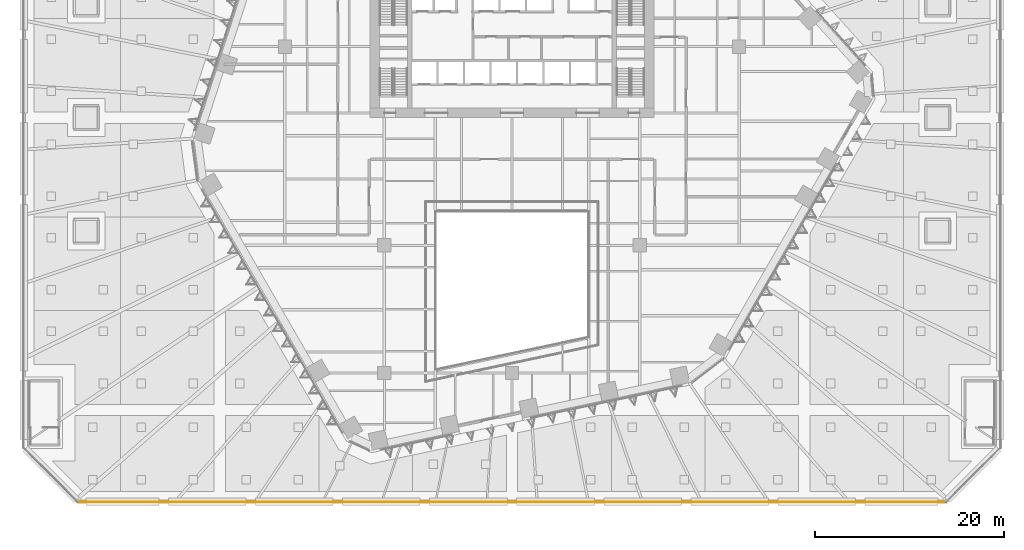
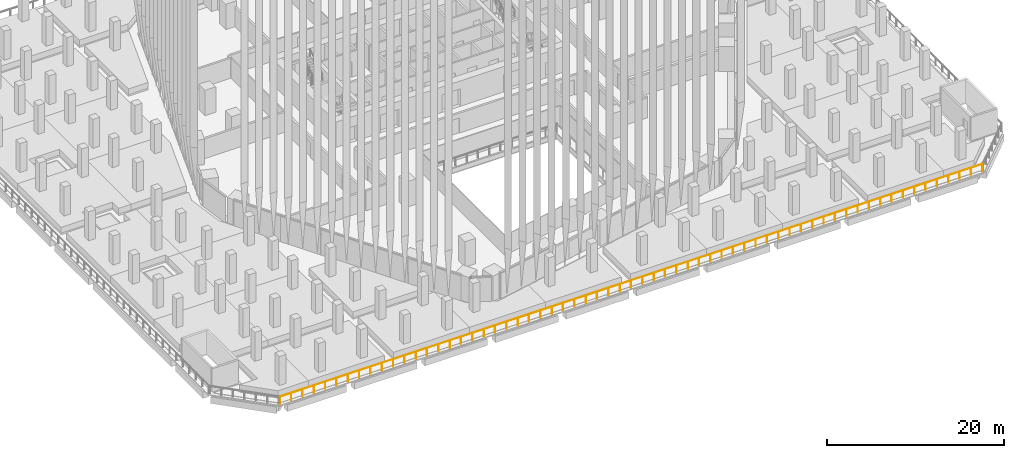
# One storey, part 31 of 51: 1 railing.
"""IFC4 building model written with IfcOpenShell, lengths in metres."""

from ifc_helpers import new_model, si_unit, direction, frame, origin, origin_2d, place, context, subcontext, project, spatial, circle, extrude, material, type_object, element, save


model = new_model("IFC4")

# Units and contexts
model_context = context("Model", 3, precision=1e-05, world=origin(), true_north=direction((0.0, 1.0)))
body_context = subcontext(model_context, "Body", "Model", "MODEL_VIEW")
ifc_project = project(units=[si_unit("LENGTHUNIT", "METRE"), si_unit("AREAUNIT", "SQUARE_METRE"), si_unit("VOLUMEUNIT", "CUBIC_METRE"), si_unit("PLANEANGLEUNIT", "RADIAN"), si_unit("MASSUNIT", "GRAM", prefix="KILO")], contexts=[model_context])

# Site, building, storey
site_placement = place(None, origin())
site = spatial("IfcSite", under=ifc_project, at=site_placement, CompositionType="ELEMENT")
building_placement = place(site_placement, origin())
building = spatial("IfcBuilding", under=site, at=building_placement, Name="Isthmus Gate Tower", CompositionType="ELEMENT")
storey_placement = place(building_placement, frame((0.0, 0.0, 36.0)))
storey = spatial("IfcBuildingStorey", under=building, at=storey_placement, Name="L06", CompositionType="ELEMENT", Elevation=36.0)

# Railing
ifc_material = material(Name="Stainless steel posts and toughened laminated glass", Category="steel")
railing_type = type_object("IfcRailingType", Name="GUARD 1100 TERRACE GLASS", PredefinedType="GUARDRAIL", material=ifc_material)
railing_placement = place(storey_placement, frame((45.794921875, -40.64990234375, 0.0)))
element("IfcRailing", 1, at=railing_placement, inside=storey, type_object=railing_type, Name="TERRACE GUARD", PredefinedType="GUARDRAIL", context=body_context, shape_type="SweptSolid", body=[
    extrude(circle(Radius=0.02490234375, at=origin_2d()), frame((0.0, 0.0, 1.0751953125), z_axis=(-1.0, 0.0, 0.0), x_axis=(0.0, -1.0, 0.0)), (0.0, 0.0, 1.0), 91.58984375),
    extrude(circle(Radius=0.02490234375, at=origin_2d()), origin(), (0.0, 0.0, 1.0), 1.050048828125),
    extrude(circle(Radius=0.02490234375, at=origin_2d()), frame((-1.477294921875, 0.0, 0.0)), (0.0, 0.0, 1.0), 1.050048828125),
    extrude(circle(Radius=0.02490234375, at=origin_2d()), frame((-2.95458984375, 0.0, 0.0)), (0.0, 0.0, 1.0), 1.050048828125),
    extrude(circle(Radius=0.02490234375, at=origin_2d()), frame((-4.431884765625, 0.0, 0.0)), (0.0, 0.0, 1.0), 1.050048828125),
    extrude(circle(Radius=0.02490234375, at=origin_2d()), frame((-5.908935546875, 0.0, 0.0)), (0.0, 0.0, 1.0), 1.050048828125),
    extrude(circle(Radius=0.02490234375, at=origin_2d()), frame((-7.38623046875, 0.0, 0.0)), (0.0, 0.0, 1.0), 1.050048828125),
    extrude(circle(Radius=0.02490234375, at=origin_2d()), frame((-8.863525390625, 0.0, 0.0)), (0.0, 0.0, 1.0), 1.050048828125),
    extrude(circle(Radius=0.02490234375, at=origin_2d()), frame((-10.3408203125, 0.0, 0.0)), (0.0, 0.0, 1.0), 1.050048828125),
    extrude(circle(Radius=0.02490234375, at=origin_2d()), frame((-11.818115234375, 0.0, 0.0)), (0.0, 0.0, 1.0), 1.050048828125),
    extrude(circle(Radius=0.02490234375, at=origin_2d()), frame((-13.29541015625, 0.0, 0.0)), (0.0, 0.0, 1.0), 1.050048828125),
    extrude(circle(Radius=0.02490234375, at=origin_2d()), frame((-14.7724609375, 0.0, 0.0)), (0.0, 0.0, 1.0), 1.050048828125),
    extrude(circle(Radius=0.02490234375, at=origin_2d()), frame((-16.249755859375, 0.0, 0.0)), (0.0, 0.0, 1.0), 1.050048828125),
    extrude(circle(Radius=0.02490234375, at=origin_2d()), frame((-17.72705078125, 0.0, 0.0)), (0.0, 0.0, 1.0), 1.050048828125),
    extrude(circle(Radius=0.02490234375, at=origin_2d()), frame((-19.204345703125, 0.0, 0.0)), (0.0, 0.0, 1.0), 1.050048828125),
    extrude(circle(Radius=0.02490234375, at=origin_2d()), frame((-20.681640625, 0.0, 0.0)), (0.0, 0.0, 1.0), 1.050048828125),
    extrude(circle(Radius=0.02490234375, at=origin_2d()), frame((-22.158935546875, 0.0, 0.0)), (0.0, 0.0, 1.0), 1.050048828125),
    extrude(circle(Radius=0.02490234375, at=origin_2d()), frame((-23.635986328125, 0.0, 0.0)), (0.0, 0.0, 1.0), 1.050048828125),
    extrude(circle(Radius=0.02490234375, at=origin_2d()), frame((-25.11328125, 0.0, 0.0)), (0.0, 0.0, 1.0), 1.050048828125),
    extrude(circle(Radius=0.02490234375, at=origin_2d()), frame((-26.590576171875, 0.0, 0.0)), (0.0, 0.0, 1.0), 1.050048828125),
    extrude(circle(Radius=0.02490234375, at=origin_2d()), frame((-28.06787109375, 0.0, 0.0)), (0.0, 0.0, 1.0), 1.050048828125),
    extrude(circle(Radius=0.02490234375, at=origin_2d()), frame((-29.545166015625, 0.0, 0.0)), (0.0, 0.0, 1.0), 1.050048828125),
    extrude(circle(Radius=0.02490234375, at=origin_2d()), frame((-31.0224609375, 0.0, 0.0)), (0.0, 0.0, 1.0), 1.050048828125),
    extrude(circle(Radius=0.02490234375, at=origin_2d()), frame((-32.49951171875, 0.0, 0.0)), (0.0, 0.0, 1.0), 1.050048828125),
    extrude(circle(Radius=0.02490234375, at=origin_2d()), frame((-33.976806640625, 0.0, 0.0)), (0.0, 0.0, 1.0), 1.050048828125),
    extrude(circle(Radius=0.02490234375, at=origin_2d()), frame((-35.4541015625, 0.0, 0.0)), (0.0, 0.0, 1.0), 1.050048828125),
    extrude(circle(Radius=0.02490234375, at=origin_2d()), frame((-36.931396484375, 0.0, 0.0)), (0.0, 0.0, 1.0), 1.050048828125),
    extrude(circle(Radius=0.02490234375, at=origin_2d()), frame((-38.40869140625, 0.0, 0.0)), (0.0, 0.0, 1.0), 1.050048828125),
    extrude(circle(Radius=0.02490234375, at=origin_2d()), frame((-39.885986328125, 0.0, 0.0)), (0.0, 0.0, 1.0), 1.050048828125),
    extrude(circle(Radius=0.02490234375, at=origin_2d()), frame((-41.363037109375, 0.0, 0.0)), (0.0, 0.0, 1.0), 1.050048828125),
    extrude(circle(Radius=0.02490234375, at=origin_2d()), frame((-42.84033203125, 0.0, 0.0)), (0.0, 0.0, 1.0), 1.050048828125),
    extrude(circle(Radius=0.02490234375, at=origin_2d()), frame((-44.317626953125, 0.0, 0.0)), (0.0, 0.0, 1.0), 1.050048828125),
    extrude(circle(Radius=0.02490234375, at=origin_2d()), frame((-45.794921875, 0.0, 0.0)), (0.0, 0.0, 1.0), 1.050048828125),
    extrude(circle(Radius=0.02490234375, at=origin_2d()), frame((-47.272216796875, 0.0, 0.0)), (0.0, 0.0, 1.0), 1.050048828125),
    extrude(circle(Radius=0.02490234375, at=origin_2d()), frame((-48.74951171875, 0.0, 0.0)), (0.0, 0.0, 1.0), 1.050048828125),
    extrude(circle(Radius=0.02490234375, at=origin_2d()), frame((-50.226806640625, 0.0, 0.0)), (0.0, 0.0, 1.0), 1.050048828125),
    extrude(circle(Radius=0.02490234375, at=origin_2d()), frame((-51.703857421875, 0.0, 0.0)), (0.0, 0.0, 1.0), 1.050048828125),
    extrude(circle(Radius=0.02490234375, at=origin_2d()), frame((-53.18115234375, 0.0, 0.0)), (0.0, 0.0, 1.0), 1.050048828125),
    extrude(circle(Radius=0.02490234375, at=origin_2d()), frame((-54.658447265625, 0.0, 0.0)), (0.0, 0.0, 1.0), 1.050048828125),
    extrude(circle(Radius=0.02490234375, at=origin_2d()), frame((-56.1357421875, 0.0, 0.0)), (0.0, 0.0, 1.0), 1.050048828125),
    extrude(circle(Radius=0.02490234375, at=origin_2d()), frame((-57.613037109375, 0.0, 0.0)), (0.0, 0.0, 1.0), 1.050048828125),
    extrude(circle(Radius=0.02490234375, at=origin_2d()), frame((-59.09033203125, 0.0, 0.0)), (0.0, 0.0, 1.0), 1.050048828125),
    extrude(circle(Radius=0.02490234375, at=origin_2d()), frame((-60.5673828125, 0.0, 0.0)), (0.0, 0.0, 1.0), 1.050048828125),
    extrude(circle(Radius=0.02490234375, at=origin_2d()), frame((-62.044677734375, 0.0, 0.0)), (0.0, 0.0, 1.0), 1.050048828125),
    extrude(circle(Radius=0.02490234375, at=origin_2d()), frame((-63.52197265625, 0.0, 0.0)), (0.0, 0.0, 1.0), 1.050048828125),
    extrude(circle(Radius=0.02490234375, at=origin_2d()), frame((-64.999267578125, 0.0, 0.0)), (0.0, 0.0, 1.0), 1.050048828125),
    extrude(circle(Radius=0.02490234375, at=origin_2d()), frame((-66.4765625, 0.0, 0.0)), (0.0, 0.0, 1.0), 1.050048828125),
    extrude(circle(Radius=0.02490234375, at=origin_2d()), frame((-67.953857421875, 0.0, 0.0)), (0.0, 0.0, 1.0), 1.050048828125),
    extrude(circle(Radius=0.02490234375, at=origin_2d()), frame((-69.430908203125, 0.0, 0.0)), (0.0, 0.0, 1.0), 1.050048828125),
    extrude(circle(Radius=0.02490234375, at=origin_2d()), frame((-70.908203125, 0.0, 0.0)), (0.0, 0.0, 1.0), 1.050048828125),
    extrude(circle(Radius=0.02490234375, at=origin_2d()), frame((-72.385498046875, 0.0, 0.0)), (0.0, 0.0, 1.0), 1.050048828125),
    extrude(circle(Radius=0.02490234375, at=origin_2d()), frame((-73.86279296875, 0.0, 0.0)), (0.0, 0.0, 1.0), 1.050048828125),
    extrude(circle(Radius=0.02490234375, at=origin_2d()), frame((-75.340087890625, 0.0, 0.0)), (0.0, 0.0, 1.0), 1.050048828125),
    extrude(circle(Radius=0.02490234375, at=origin_2d()), frame((-76.8173828125, 0.0, 0.0)), (0.0, 0.0, 1.0), 1.050048828125),
    extrude(circle(Radius=0.02490234375, at=origin_2d()), frame((-78.29443359375, 0.0, 0.0)), (0.0, 0.0, 1.0), 1.050048828125),
    extrude(circle(Radius=0.02490234375, at=origin_2d()), frame((-79.771728515625, 0.0, 0.0)), (0.0, 0.0, 1.0), 1.050048828125),
    extrude(circle(Radius=0.02490234375, at=origin_2d()), frame((-81.2490234375, 0.0, 0.0)), (0.0, 0.0, 1.0), 1.050048828125),
    extrude(circle(Radius=0.02490234375, at=origin_2d()), frame((-82.726318359375, 0.0, 0.0)), (0.0, 0.0, 1.0), 1.050048828125),
    extrude(circle(Radius=0.02490234375, at=origin_2d()), frame((-84.20361328125, 0.0, 0.0)), (0.0, 0.0, 1.0), 1.050048828125),
    extrude(circle(Radius=0.02490234375, at=origin_2d()), frame((-85.680908203125, 0.0, 0.0)), (0.0, 0.0, 1.0), 1.050048828125),
    extrude(circle(Radius=0.02490234375, at=origin_2d()), frame((-87.157958984375, 0.0, 0.0)), (0.0, 0.0, 1.0), 1.050048828125),
    extrude(circle(Radius=0.02490234375, at=origin_2d()), frame((-88.63525390625, 0.0, 0.0)), (0.0, 0.0, 1.0), 1.050048828125),
    extrude(circle(Radius=0.02490234375, at=origin_2d()), frame((-90.112548828125, 0.0, 0.0)), (0.0, 0.0, 1.0), 1.050048828125),
    extrude(circle(Radius=0.02490234375, at=origin_2d()), frame((-91.58984375, 0.0, 0.0)), (0.0, 0.0, 1.0), 1.050048828125),
])

save(model, "model.ifc")
